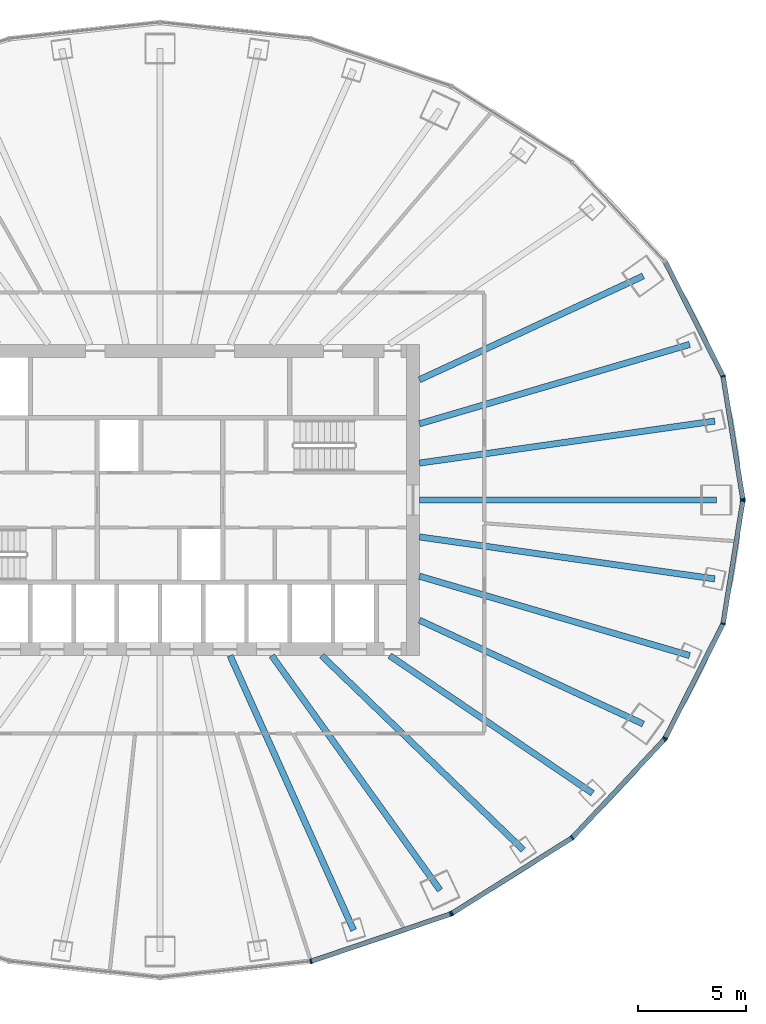
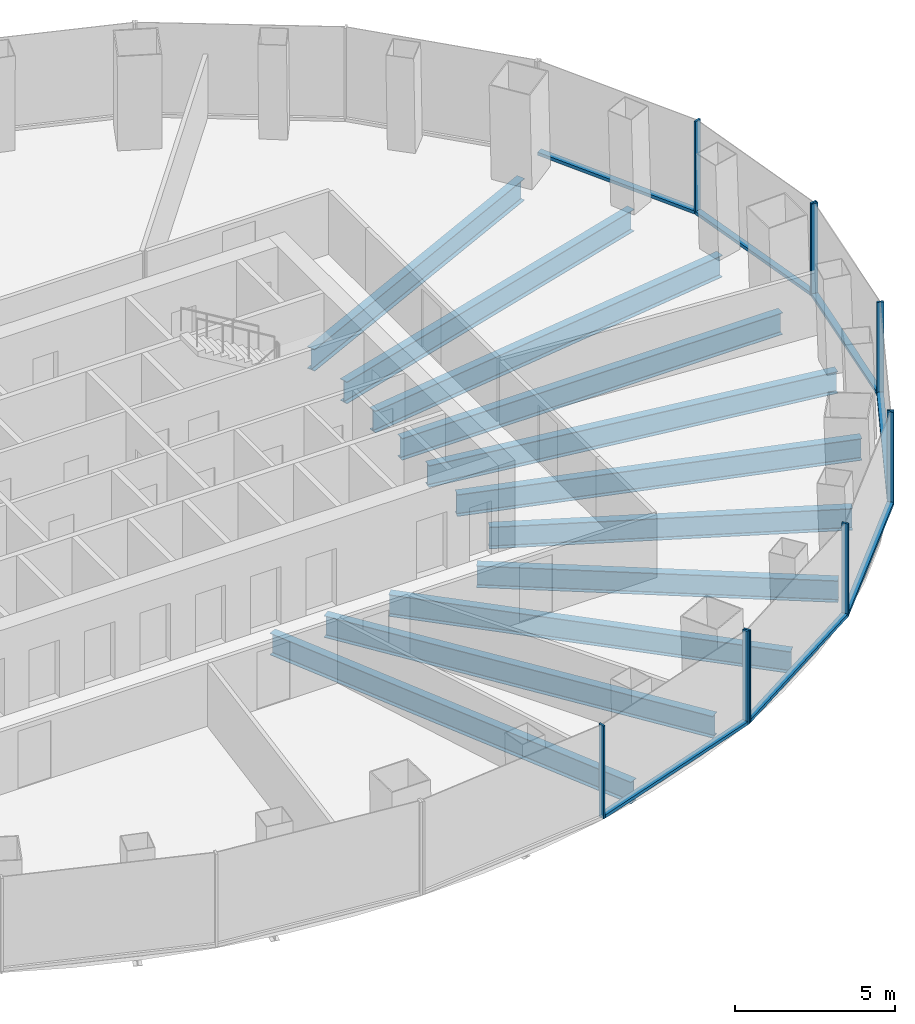
# One storey, part 4 of 11: 17 members, 11 beams, 4 elements without a shape of their own.
"""IFC4 building model written with IfcOpenShell, lengths in metres."""

from ifc_helpers import new_model, si_unit, direction, frame, origin, origin_2d, place, context, subcontext, project, spatial, rectangle, i_section, extrude, material, layer, layer_set, material_profile, profile_set, type_object, element, aggregate, save


model = new_model("IFC4")

# Units and contexts
model_context = context("Model", 3, precision=1e-05, world=origin(), true_north=direction((0.0, 1.0)))
body_context = subcontext(model_context, "Body", "Model", "MODEL_VIEW")
ifc_project = project(units=[si_unit("LENGTHUNIT", "METRE"), si_unit("AREAUNIT", "SQUARE_METRE"), si_unit("VOLUMEUNIT", "CUBIC_METRE"), si_unit("PLANEANGLEUNIT", "RADIAN"), si_unit("MASSUNIT", "GRAM", prefix="KILO")], contexts=[model_context])

# Site, building, storey
site_placement = place(None, origin())
site = spatial("IfcSite", under=ifc_project, at=site_placement, CompositionType="ELEMENT")
building_placement = place(site_placement, origin())
building = spatial("IfcBuilding", under=site, at=building_placement, Name="Siaravel Broadcast Tower", CompositionType="ELEMENT")
storey_placement = place(building_placement, frame((0.0, 0.0, 77.800048828125)))
storey = spatial("IfcBuildingStorey", under=building, at=storey_placement, Name="L18", CompositionType="ELEMENT", Elevation=77.800048828125)

# Beams
ifc_material_1 = material(Name="Steel S355", Category="steel")
ifc_material_profile_1 = material_profile(ifc_material_1, i_section(OverallWidth=0.291748046875, OverallDepth=0.8349609375, WebThickness=0.013916015625, FlangeThickness=0.018798828125, FilletRadius=0.017822265625, at=origin_2d()))
ifc_profile_set_1 = profile_set([ifc_material_profile_1], Name="Steel S355")
beam_type = type_object("IfcBeamType", Name="BM-UB 838x292x176", PredefinedType="BEAM", material=ifc_profile_set_1)
beam_1_placement = place(storey_placement, frame((25.74951171875, 0.0, -0.567626953125), z_axis=(-1.0, 0.0, 0.0), x_axis=(0.0, -1.0, 0.0)))
element("IfcBeam", 1, at=beam_1_placement, inside=storey, type_object=beam_type, Name="Radial beam RB01", PredefinedType="BEAM", context=body_context, shape_type="SweptSolid", body=[
    extrude(i_section(OverallWidth=0.291748046875, OverallDepth=0.8349609375, WebThickness=0.013916015625, FlangeThickness=0.018798828125, FilletRadius=0.017822265625, at=origin_2d()), origin(), (0.0, 0.0, 1.0), 13.74951171875),
])
beam_2_placement = place(storey_placement, frame((25.65966796875, 3.650634765625, -0.567626953125), z_axis=(-0.990030726, -0.140851556, 0.0), x_axis=(0.140851556, -0.990030726, 0.0)))
element("IfcBeam", 2, at=beam_2_placement, inside=storey, type_object=beam_type, Name="Radial beam RB02", PredefinedType="BEAM", context=body_context, shape_type="SweptSolid", body=[
    extrude(i_section(OverallWidth=0.291748046875, OverallDepth=0.8349609375, WebThickness=0.013916015625, FlangeThickness=0.018798828125, FilletRadius=0.017822265625, at=origin_2d()), origin(), (0.0, 0.0, 1.0), 13.797119140625),
])
beam_3_placement = place(storey_placement, frame((24.499267578125, 7.197021484375, -0.567626953125), z_axis=(-0.959456468, -0.281856853, 0.0), x_axis=(0.281856853, -0.959456468, 0.0)))
element("IfcBeam", 3, at=beam_3_placement, inside=storey, type_object=beam_type, Name="Radial beam RB03", PredefinedType="BEAM", context=body_context, shape_type="SweptSolid", body=[
    extrude(i_section(OverallWidth=0.291748046875, OverallDepth=0.8349609375, WebThickness=0.013916015625, FlangeThickness=0.018798828125, FilletRadius=0.017822265625, at=origin_2d()), origin(), (0.0, 0.0, 1.0), 13.02734375),
])
beam_4_placement = place(storey_placement, frame((22.353271484375, 10.36279296875, -0.567626953125), z_axis=(-0.907245503, -0.420601471, 0.0), x_axis=(0.420601471, -0.907245503, 0.0)))
element("IfcBeam", 4, at=beam_4_placement, inside=storey, type_object=beam_type, Name="Radial beam RB04", PredefinedType="BEAM", context=body_context, shape_type="SweptSolid", body=[
    extrude(i_section(OverallWidth=0.291748046875, OverallDepth=0.8349609375, WebThickness=0.013916015625, FlangeThickness=0.018798828125, FilletRadius=0.017822265625, at=origin_2d()), origin(), (0.0, 0.0, 1.0), 11.411865234375),
])
beam_5_placement = place(storey_placement, frame((8.95458984375, -19.89990234375, -0.567626953125), z_axis=(-0.41034208, 0.911931673, 0.0), x_axis=(-0.911931673, -0.41034208, 0.0)))
element("IfcBeam", 5, at=beam_5_placement, inside=storey, type_object=beam_type, Name="Radial beam RB30", PredefinedType="BEAM", context=body_context, shape_type="SweptSolid", body=[
    extrude(i_section(OverallWidth=0.291748046875, OverallDepth=0.8349609375, WebThickness=0.013916015625, FlangeThickness=0.018798828125, FilletRadius=0.017822265625, at=origin_2d()), origin(), (0.0, 0.0, 1.0), 13.926513671875),
])
beam_6_placement = place(storey_placement, frame((12.95458984375, -18.052001953125, -0.567626953125), z_axis=(-0.583028018, 0.812452048, 0.0), x_axis=(-0.812452048, -0.583028018, 0.0)))
element("IfcBeam", 6, at=beam_6_placement, inside=storey, type_object=beam_type, Name="Radial beam RB31", PredefinedType="BEAM", context=body_context, shape_type="SweptSolid", body=[
    extrude(i_section(OverallWidth=0.291748046875, OverallDepth=0.8349609375, WebThickness=0.013916015625, FlangeThickness=0.018798828125, FilletRadius=0.017822265625, at=origin_2d()), origin(), (0.0, 0.0, 1.0), 13.357177734375),
])
beam_7_placement = place(storey_placement, frame((16.805419921875, -16.188232421875, -0.567626953125), z_axis=(-0.720202337, 0.693764076, 0.0), x_axis=(-0.693764076, -0.720202337, 0.0)))
element("IfcBeam", 7, at=beam_7_placement, inside=storey, type_object=beam_type, Name="Radial beam RB32", PredefinedType="BEAM", context=body_context, shape_type="SweptSolid", body=[
    extrude(i_section(OverallWidth=0.291748046875, OverallDepth=0.8349609375, WebThickness=0.013916015625, FlangeThickness=0.018798828125, FilletRadius=0.017822265625, at=origin_2d()), origin(), (0.0, 0.0, 1.0), 12.955810546875),
])
beam_8_placement = place(storey_placement, frame((20.009033203125, -13.564208984375, -0.567626953125), z_axis=(-0.827726799, 0.561131309, 0.0), x_axis=(-0.561131309, -0.827726799, 0.0)))
element("IfcBeam", 8, at=beam_8_placement, inside=storey, type_object=beam_type, Name="Radial beam RB33", PredefinedType="BEAM", context=body_context, shape_type="SweptSolid", body=[
    extrude(i_section(OverallWidth=0.291748046875, OverallDepth=0.8349609375, WebThickness=0.013916015625, FlangeThickness=0.018798828125, FilletRadius=0.017822265625, at=origin_2d()), origin(), (0.0, 0.0, 1.0), 11.341796875),
])
beam_9_placement = place(storey_placement, frame((22.353271484375, -10.36279296875, -0.567626953125), z_axis=(-0.907245503, 0.420601471, 0.0), x_axis=(-0.420601471, -0.907245503, 0.0)))
element("IfcBeam", 9, at=beam_9_placement, inside=storey, type_object=beam_type, Name="Radial beam RB34", PredefinedType="BEAM", context=body_context, shape_type="SweptSolid", body=[
    extrude(i_section(OverallWidth=0.291748046875, OverallDepth=0.8349609375, WebThickness=0.013916015625, FlangeThickness=0.018798828125, FilletRadius=0.017822265625, at=origin_2d()), origin(), (0.0, 0.0, 1.0), 11.411865234375),
])
beam_10_placement = place(storey_placement, frame((24.499267578125, -7.197021484375, -0.567626953125), z_axis=(-0.959456468, 0.281856853, 0.0), x_axis=(-0.281856853, -0.959456468, 0.0)))
element("IfcBeam", 10, at=beam_10_placement, inside=storey, type_object=beam_type, Name="Radial beam RB35", PredefinedType="BEAM", context=body_context, shape_type="SweptSolid", body=[
    extrude(i_section(OverallWidth=0.291748046875, OverallDepth=0.8349609375, WebThickness=0.013916015625, FlangeThickness=0.018798828125, FilletRadius=0.017822265625, at=origin_2d()), origin(), (0.0, 0.0, 1.0), 13.02734375),
])
beam_11_placement = place(storey_placement, frame((25.65966796875, -3.650634765625, -0.567626953125), z_axis=(-0.990030726, 0.140851556, 0.0), x_axis=(-0.140851556, -0.990030726, 0.0)))
element("IfcBeam", 11, at=beam_11_placement, inside=storey, type_object=beam_type, Name="Radial beam RB36", PredefinedType="BEAM", context=body_context, shape_type="SweptSolid", body=[
    extrude(i_section(OverallWidth=0.291748046875, OverallDepth=0.8349609375, WebThickness=0.013916015625, FlangeThickness=0.018798828125, FilletRadius=0.017822265625, at=origin_2d()), origin(), (0.0, 0.0, 1.0), 13.797119140625),
])

# Curtain wall, members
ifc_material_2 = material(Name="Aluminium 6063-T6", Category="aluminium")
ifc_layer = layer(ifc_material_2, 0.219970703125)
ifc_layer_set = layer_set([ifc_layer], Name="Aluminium 6063-T6")
curtain_wall_type = type_object("IfcCurtainWallType", Name="Unitised curtain wall, zone 1", PredefinedType="NOTDEFINED", material=ifc_layer_set)
curtain_wall_1_placement = place(storey_placement, origin())
curtain_wall_1 = element("IfcCurtainWall", 12, at=curtain_wall_1_placement, inside=storey, type_object=curtain_wall_type, Name="L18 Unitised curtain wall, zone 1 01", PredefinedType="NOTDEFINED")
ifc_material_profile_2 = material_profile(ifc_material_2, rectangle(XDim=0.219970703125, YDim=0.070068359375, at=origin_2d()))
ifc_profile_set_2 = profile_set([ifc_material_profile_2], Name="Aluminium 6063-T6")
member_type_1 = type_object("IfcMemberType", Name="CW-Z1 mullion", PredefinedType="MULLION", material=ifc_profile_set_2)
member_1_placement = place(storey_placement, frame((26.9580078125, 0.03466796875, 0.0), z_axis=(0.0, 0.0, 1.0), x_axis=(-0.987329186, -0.158685468, 0.0)))
member_1 = element("IfcMember", 13, at=member_1_placement, type_object=member_type_1, Name="CW-Z1 mullion 1", PredefinedType="MULLION", context=body_context, shape_type="SweptSolid", body=[
    extrude(rectangle(XDim=0.219970703125, YDim=0.070068359375, at=origin_2d()), origin(), (0.0, 0.0, 1.0), 3.550048828125),
])
member_2_placement = place(storey_placement, frame((26.044189453125, 5.72119140625, 0.0), z_axis=(0.0, 0.0, 1.0), x_axis=(-0.951177254, -0.308645154, 0.0)))
member_2 = element("IfcMember", 14, at=member_2_placement, type_object=member_type_1, Name="CW-Z1 mullion 2", PredefinedType="MULLION", context=body_context, shape_type="SweptSolid", body=[
    extrude(rectangle(XDim=0.219970703125, YDim=0.070068359375, at=origin_2d()), origin(), (0.0, 0.0, 1.0), 3.550048828125),
])

curtain_wall_2_placement = place(storey_placement, origin())
curtain_wall_2 = element("IfcCurtainWall", 15, at=curtain_wall_2_placement, inside=storey, type_object=curtain_wall_type, Name="L18 Unitised curtain wall, zone 1 10", PredefinedType="NOTDEFINED")
member_3_placement = place(storey_placement, frame((6.9765625, -21.343017578125, 0.0), z_axis=(0.0, 0.0, 1.0), x_axis=(-0.21555841, 0.976490948, 0.0)))
member_3 = element("IfcMember", 16, at=member_3_placement, type_object=member_type_1, Name="CW-Z1 mullion 2", PredefinedType="MULLION", context=body_context, shape_type="SweptSolid", body=[
    extrude(rectangle(XDim=0.219970703125, YDim=0.070068359375, at=origin_2d()), origin(), (0.0, 0.0, 1.0), 3.550048828125),
])
member_4_placement = place(storey_placement, frame((13.445068359375, -19.148193359375, 0.0), z_axis=(0.0, 0.0, 1.0), x_axis=(-0.321301105, 0.946977085, 0.0)))
member_4 = element("IfcMember", 17, at=member_4_placement, type_object=member_type_1, Name="CW-Z1 mullion 3", PredefinedType="MULLION", context=body_context, shape_type="SweptSolid", body=[
    extrude(rectangle(XDim=0.219970703125, YDim=0.070068359375, at=origin_2d()), origin(), (0.0, 0.0, 1.0), 3.550048828125),
])

curtain_wall_3_placement = place(storey_placement, origin())
curtain_wall_3 = element("IfcCurtainWall", 18, at=curtain_wall_3_placement, inside=storey, type_object=curtain_wall_type, Name="L18 Unitised curtain wall, zone 1 11", PredefinedType="NOTDEFINED")
member_5_placement = place(storey_placement, frame((13.5078125, -19.118408203125, 0.0), z_axis=(0.0, 0.0, 1.0), x_axis=(-0.532149761, 0.846650242, 0.0)))
member_5 = element("IfcMember", 19, at=member_5_placement, type_object=member_type_1, Name="CW-Z1 mullion 1", PredefinedType="MULLION", context=body_context, shape_type="SweptSolid", body=[
    extrude(rectangle(XDim=0.219970703125, YDim=0.070068359375, at=origin_2d()), origin(), (0.0, 0.0, 1.0), 3.550048828125),
])
member_6_placement = place(storey_placement, frame((19.0625, -15.627197265625, 0.0), z_axis=(0.0, 0.0, 1.0), x_axis=(-0.63621907, 0.771508454, 0.0)))
member_6 = element("IfcMember", 20, at=member_6_placement, type_object=member_type_1, Name="CW-Z1 mullion 2", PredefinedType="MULLION", context=body_context, shape_type="SweptSolid", body=[
    extrude(rectangle(XDim=0.219970703125, YDim=0.070068359375, at=origin_2d()), origin(), (0.0, 0.0, 1.0), 3.550048828125),
])
member_7_placement = place(storey_placement, frame((23.32470703125, -11.076904296875, 0.0), z_axis=(0.0, 0.0, 1.0), x_axis=(-0.729805583, 0.683654746, 0.0)))
member_7 = element("IfcMember", 21, at=member_7_placement, type_object=member_type_1, Name="CW-Z1 mullion 3", PredefinedType="MULLION", context=body_context, shape_type="SweptSolid", body=[
    extrude(rectangle(XDim=0.219970703125, YDim=0.070068359375, at=origin_2d()), origin(), (0.0, 0.0, 1.0), 3.550048828125),
])

curtain_wall_4_placement = place(storey_placement, origin())
curtain_wall_4 = element("IfcCurtainWall", 22, at=curtain_wall_4_placement, inside=storey, type_object=curtain_wall_type, Name="L18 Unitised curtain wall, zone 1 12", PredefinedType="NOTDEFINED")
member_8_placement = place(storey_placement, frame((23.364501953125, -11.020263671875, 0.0), z_axis=(0.0, 0.0, 1.0), x_axis=(-0.892392184, 0.451260668, 0.0)))
member_8 = element("IfcMember", 23, at=member_8_placement, type_object=member_type_1, Name="CW-Z1 mullion 1", PredefinedType="MULLION", context=body_context, shape_type="SweptSolid", body=[
    extrude(rectangle(XDim=0.219970703125, YDim=0.070068359375, at=origin_2d()), origin(), (0.0, 0.0, 1.0), 3.550048828125),
])
member_9_placement = place(storey_placement, frame((26.044189453125, -5.72119140625, 0.0), z_axis=(0.0, 0.0, 1.0), x_axis=(-0.951177254, 0.308645154, 0.0)))
member_9 = element("IfcMember", 24, at=member_9_placement, type_object=member_type_1, Name="CW-Z1 mullion 2", PredefinedType="MULLION", context=body_context, shape_type="SweptSolid", body=[
    extrude(rectangle(XDim=0.219970703125, YDim=0.070068359375, at=origin_2d()), origin(), (0.0, 0.0, 1.0), 3.550048828125),
])
member_10_placement = place(storey_placement, frame((26.9580078125, -0.03466796875, 0.0), z_axis=(0.0, 0.0, 1.0), x_axis=(-0.987329186, 0.158685468, 0.0)))
member_10 = element("IfcMember", 25, at=member_10_placement, type_object=member_type_1, Name="CW-Z1 mullion 3", PredefinedType="MULLION", context=body_context, shape_type="SweptSolid", body=[
    extrude(rectangle(XDim=0.219970703125, YDim=0.070068359375, at=origin_2d()), origin(), (0.0, 0.0, 1.0), 3.550048828125),
])

# Member
ifc_material_profile_3 = material_profile(ifc_material_2, rectangle(XDim=0.219970703125, YDim=0.1201171875, at=origin_2d()))
ifc_profile_set_3 = profile_set([ifc_material_profile_3], Name="Aluminium 6063-T6")
member_type_2 = type_object("IfcMemberType", Name="CW-Z1 transom", PredefinedType="USERDEFINED", material=ifc_profile_set_3)
member_11_placement = place(storey_placement, frame((26.952392578125, 0.069091796875, 0.06005859375), z_axis=(-0.158676602, 0.987330611, 0.0), x_axis=(-0.987330611, -0.158676602, 0.0)))
member_11 = element("IfcMember", 26, at=member_11_placement, type_object=member_type_2, Name="CW-Z1 transom 1", ObjectType="TRANSOM", PredefinedType="USERDEFINED", context=body_context, shape_type="SweptSolid", body=[
    extrude(rectangle(XDim=0.219970703125, YDim=0.1201171875, at=origin_2d()), origin(), (0.0, 0.0, 1.0), 5.689697265625),
])

member_12_placement = place(storey_placement, frame((26.0283203125, 5.75244140625, 0.06005859375), z_axis=(-0.451253077, 0.892396022, 0.0), x_axis=(-0.892396022, -0.451253077, 0.0)))
member_12 = element("IfcMember", 27, at=member_12_placement, type_object=member_type_2, Name="CW-Z1 transom 2", ObjectType="TRANSOM", PredefinedType="USERDEFINED", context=body_context, shape_type="SweptSolid", body=[
    extrude(rectangle(XDim=0.219970703125, YDim=0.1201171875, at=origin_2d()), origin(), (0.0, 0.0, 1.0), 5.867919921875),
])

aggregate(curtain_wall_1, [member_1, member_2, member_11, member_12])

member_13_placement = place(storey_placement, frame((7.009521484375, -21.331787109375, 0.06005859375), z_axis=(0.946972422, 0.321314849, 0.0), x_axis=(-0.321314849, 0.946972422, 0.0)))
member_13 = element("IfcMember", 28, at=member_13_placement, type_object=member_type_2, Name="CW-Z1 transom 2", ObjectType="TRANSOM", PredefinedType="USERDEFINED", context=body_context, shape_type="SweptSolid", body=[
    extrude(rectangle(XDim=0.219970703125, YDim=0.1201171875, at=origin_2d()), origin(), (0.0, 0.0, 1.0), 6.7607421875),
])

aggregate(curtain_wall_2, [member_3, member_4, member_13])

member_14_placement = place(storey_placement, frame((13.537353515625, -19.099609375, 0.06005859375), z_axis=(0.846662211, 0.532130717, 0.0), x_axis=(-0.532130717, 0.846662211, 0.0)))
member_14 = element("IfcMember", 29, at=member_14_placement, type_object=member_type_2, Name="CW-Z1 transom 1", ObjectType="TRANSOM", PredefinedType="USERDEFINED", context=body_context, shape_type="SweptSolid", body=[
    extrude(rectangle(XDim=0.219970703125, YDim=0.1201171875, at=origin_2d()), origin(), (0.0, 0.0, 1.0), 6.49072265625),
])

member_15_placement = place(storey_placement, frame((19.08642578125, -15.6015625, 0.06005859375), z_axis=(0.683640708, 0.729818733, 0.0), x_axis=(-0.729818733, 0.683640708, 0.0)))
member_15 = element("IfcMember", 30, at=member_15_placement, type_object=member_type_2, Name="CW-Z1 transom 2", ObjectType="TRANSOM", PredefinedType="USERDEFINED", context=body_context, shape_type="SweptSolid", body=[
    extrude(rectangle(XDim=0.219970703125, YDim=0.1201171875, at=origin_2d()), origin(), (0.0, 0.0, 1.0), 6.16455078125),
])

aggregate(curtain_wall_3, [member_5, member_6, member_7, member_14, member_15])

member_16_placement = place(storey_placement, frame((23.38037109375, -10.989013671875, 0.06005859375), z_axis=(0.451253077, 0.892396022, 0.0), x_axis=(-0.892396022, 0.451253077, 0.0)))
member_16 = element("IfcMember", 31, at=member_16_placement, type_object=member_type_2, Name="CW-Z1 transom 1", ObjectType="TRANSOM", PredefinedType="USERDEFINED", context=body_context, shape_type="SweptSolid", body=[
    extrude(rectangle(XDim=0.219970703125, YDim=0.1201171875, at=origin_2d()), origin(), (0.0, 0.0, 1.0), 5.867919921875),
])

member_17_placement = place(storey_placement, frame((26.049560546875, -5.686767578125, 0.06005859375), z_axis=(0.158676602, 0.987330611, 0.0), x_axis=(-0.987330611, 0.158676602, 0.0)))
member_17 = element("IfcMember", 32, at=member_17_placement, type_object=member_type_2, Name="CW-Z1 transom 2", ObjectType="TRANSOM", PredefinedType="USERDEFINED", context=body_context, shape_type="SweptSolid", body=[
    extrude(rectangle(XDim=0.219970703125, YDim=0.1201171875, at=origin_2d()), origin(), (0.0, 0.0, 1.0), 5.689697265625),
])

aggregate(curtain_wall_4, [member_8, member_9, member_10, member_16, member_17])

save(model, "model.ifc")
